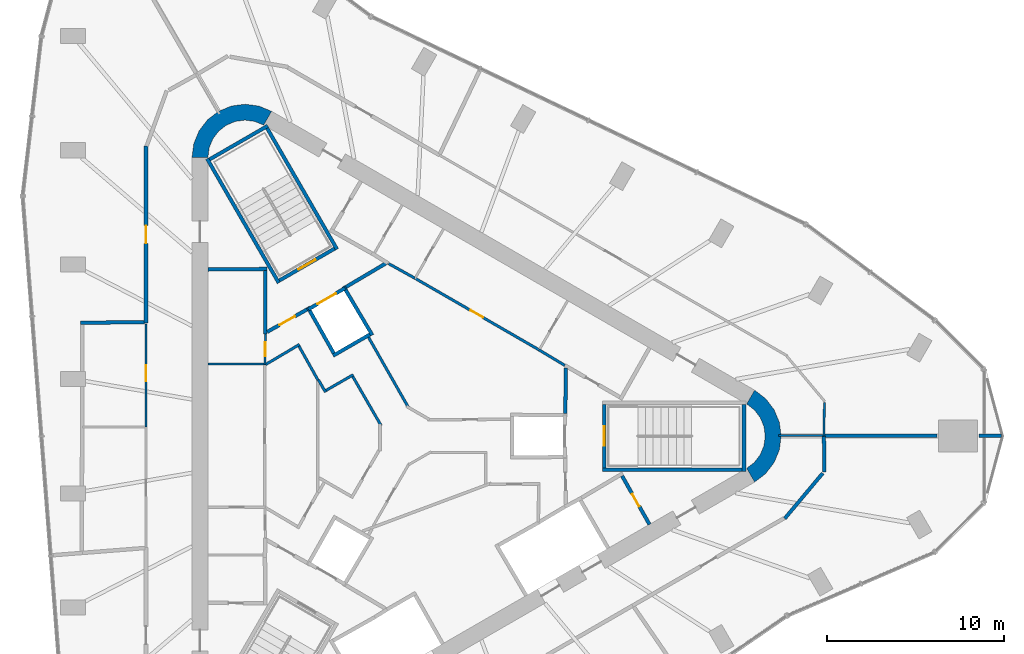
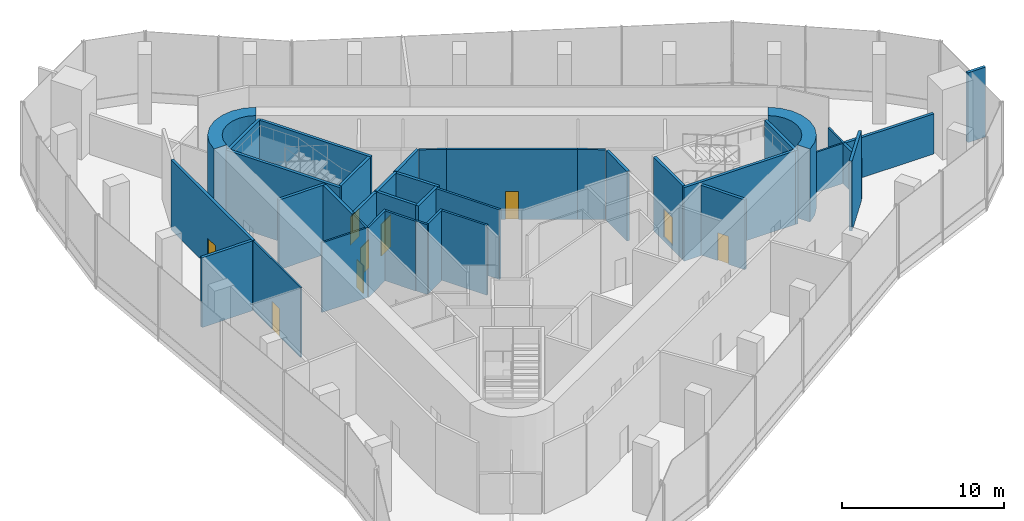
# One storey, part 9 of 13: 39 walls, 9 doors, 9 openings.
"""IFC4 building model written with IfcOpenShell, lengths in metres."""

import ifcopenshell
import ifcopenshell.guid

model = None  # the IFC model being written
_history = None  # IfcOwnerHistory: only IFC2X3 demands one
_inside = {}  # id of a spatial element -> (the spatial element, [elements in it])
_under = {}  # id of a project, library or spatial element -> (it, [spatial elements below it])
_declared = {}  # id of a project -> (the project, [libraries it declares])
_typed = {}  # id of a type object -> (the type object, [elements of that type])
_made_of = {}  # id of a material, layer set ... -> (it, [elements and type objects made of it])


def new_model(schema):
    """Start an empty IFC model of exactly this schema.

    Asked for "IFC4X3", IfcOpenShell would pick the latest addendum, in which some entities
    have other attributes; the version numbers below select the first issue.
    IFC2X3 requires an IfcOwnerHistory on every rooted entity: one is made here for all.
    """
    global model, _history
    if schema == "IFC4X3":
        model = ifcopenshell.file(schema_version=(4, 3, 0, 0))
    else:
        model = ifcopenshell.file(schema=schema)
    _inside.clear()
    _under.clear()
    _declared.clear()
    _typed.clear()
    _made_of.clear()
    _history = None
    if model.schema == "IFC2X3":
        org = make("IfcOrganization", Name="unknown")
        user = make(
            "IfcPersonAndOrganization",
            ThePerson=make("IfcPerson", FamilyName="unknown"),
            TheOrganization=org,
        )
        app = make(
            "IfcApplication",
            ApplicationDeveloper=org,
            Version="unknown",
            ApplicationFullName="unknown",
            ApplicationIdentifier="unknown",
        )
        _history = make(
            "IfcOwnerHistory",
            OwningUser=user,
            OwningApplication=app,
            ChangeAction="ADDED",
            CreationDate=0,
        )
    return model


def make(cls, **values):
    """One entity of the class cls with the attributes given. An attribute that is None is left unset."""
    return model.create_entity(
        cls, **{name: value for name, value in values.items() if value is not None}
    )


def rooted(cls, **values):
    """An entity with a GlobalId (a new one), such as an element, a storey or a relation."""
    return make(cls, GlobalId=ifcopenshell.guid.new(), OwnerHistory=_history, **values)


def si_unit(unit_type, name, prefix=None):
    """IfcSIUnit, for example si_unit("LENGTHUNIT", "METRE", prefix="MILLI")."""
    return make("IfcSIUnit", UnitType=unit_type, Prefix=prefix, Name=name)


def assignment(units):
    """IfcUnitAssignment: the units of a project."""
    return None if units is None else make("IfcUnitAssignment", Units=units)


def point(xyz):
    """IfcCartesianPoint."""
    return None if xyz is None else make("IfcCartesianPoint", Coordinates=xyz)


def direction(xyz):
    """IfcDirection."""
    return None if xyz is None else make("IfcDirection", DirectionRatios=xyz)


def frame(location, z_axis=None, x_axis=None):
    """IfcAxis2Placement3D, a coordinate frame: its origin and axes. An axis left out is left unset."""
    return make(
        "IfcAxis2Placement3D",
        Location=point(location),
        Axis=direction(z_axis),
        RefDirection=direction(x_axis),
    )


def frame_2d(location, x_axis=None):
    """IfcAxis2Placement2D, a coordinate frame in the plane: its origin and x axis."""
    return make(
        "IfcAxis2Placement2D", Location=point(location), RefDirection=direction(x_axis)
    )


def origin():
    """The frame at (0, 0, 0) with its axes left unset."""
    return frame((0.0, 0.0, 0.0))


def place(relative_to, where):
    """IfcLocalPlacement: puts the frame where relative to a parent placement (None: the world)."""
    return make(
        "IfcLocalPlacement", PlacementRelTo=relative_to, RelativePlacement=where
    )


def context(
    kind, dimensions, precision=None, world=None, true_north=None, identifier=None
):
    """IfcGeometricRepresentationContext, for example the 3D "Model" context."""
    return make(
        "IfcGeometricRepresentationContext",
        ContextIdentifier=identifier,
        ContextType=kind,
        CoordinateSpaceDimension=dimensions,
        Precision=precision,
        WorldCoordinateSystem=world,
        TrueNorth=true_north,
    )


def subcontext(parent, identifier, kind, view, scale=None):
    """IfcGeometricRepresentationSubContext, for example "Body" below "Model"."""
    return make(
        "IfcGeometricRepresentationSubContext",
        ContextIdentifier=identifier,
        ContextType=kind,
        ParentContext=parent,
        TargetScale=scale,
        TargetView=view,
    )


def project(units=None, contexts=None):
    """IfcProject with its units and contexts."""
    return rooted(
        "IfcProject",
        Name="project",
        RepresentationContexts=contexts,
        UnitsInContext=assignment(units),
    )


def spatial(cls, under=None, at=None, **own):
    """A site, building, storey or space (cls), placed at a placement, below another one or the project."""
    s = rooted(cls, ObjectPlacement=at, **own)
    if under is not None:
        _under.setdefault(under.id(), (under, []))[1].append(s)
    return s


def polyline(points):
    """IfcPolyline through the points."""
    return make("IfcPolyline", Points=[point(p) for p in points])


def profile(cls, at=None, kind="AREA", **sizes):
    """A parametric profile (cls). Its sizes go by their IFC names, for example OverallWidth=200.0."""
    return make(cls, ProfileType=kind, Position=at, **sizes)


def rectangle(**sizes):
    """IfcRectangleProfileDef."""
    return profile("IfcRectangleProfileDef", **sizes)


def outline(outer, holes=None, kind="AREA"):
    """IfcArbitraryClosedProfileDef: a profile drawn as a closed curve; with holes, ...WithVoids."""
    if holes is None:
        return make("IfcArbitraryClosedProfileDef", ProfileType=kind, OuterCurve=outer)
    return make(
        "IfcArbitraryProfileDefWithVoids",
        ProfileType=kind,
        OuterCurve=outer,
        InnerCurves=holes,
    )


def extrude(swept, where, along, depth):
    """IfcExtrudedAreaSolid: the profile swept, set in the frame where, extruded along a direction by depth."""
    return make(
        "IfcExtrudedAreaSolid",
        SweptArea=swept,
        Position=where,
        ExtrudedDirection=direction(along),
        Depth=depth,
    )


def shape(context_of_items, identifier, shape_type, items):
    """IfcShapeRepresentation: the items that make up one representation, for example the "Body"."""
    return make(
        "IfcShapeRepresentation",
        ContextOfItems=context_of_items,
        RepresentationIdentifier=identifier,
        RepresentationType=shape_type,
        Items=items,
    )


def material(Name=None, Category=None):
    """IfcMaterial."""
    return make("IfcMaterial", Name=Name, Category=Category)


def layer(
    of_material, thickness, ventilated=None, Name=None, Category=None, Priority=None
):
    """IfcMaterialLayer: one layer of a wall or slab, of a material (None: an air gap)."""
    return make(
        "IfcMaterialLayer",
        Material=of_material,
        LayerThickness=thickness,
        IsVentilated=ventilated,
        Name=Name,
        Category=Category,
        Priority=Priority,
    )


def layer_set(layers, Name=None):
    """IfcMaterialLayerSet."""
    return make("IfcMaterialLayerSet", MaterialLayers=layers, LayerSetName=Name)


def made_of(thing, what):
    """Note that an element or type object is made of a material, layer set ...; save() writes the relation."""
    if what is not None:
        _made_of.setdefault(what.id(), (what, []))[1].append(thing)
    return thing


def type_object(cls, material=None, **own):
    """A type object (cls), such as IfcWallType, which elements share."""
    return made_of(rooted(cls, **own), material)


def element(
    cls,
    number,
    at=None,
    inside=None,
    cuts=None,
    type_object=None,
    material=None,
    context=None,
    identifier="Body",
    shape_type=None,
    held_by="IfcProductDefinitionShape",
    body=None,
    shapes=None,
    **own,
):
    """One element of the class cls, such as IfcWall. Its Tag is "e" and its number.

    at: its placement. inside: the storey or other place that contains it. cuts: it is an
    opening in that element (IfcRelVoidsElement). A single representation is given by context,
    identifier, shape_type and body (its items); several are given by shapes. held_by: the class
    of the entity that holds the representations. save() writes the other relations.
    """
    e = rooted(cls, Tag="e%d" % number, ObjectPlacement=at, **own)
    if body is not None:
        shapes = [shape(context, identifier, shape_type, body)]
    if shapes is not None:
        e.Representation = make(held_by, Representations=shapes)
    if inside is not None:
        _inside.setdefault(inside.id(), (inside, []))[1].append(e)
    if cuts is not None:
        rooted(
            "IfcRelVoidsElement", RelatingBuildingElement=cuts, RelatedOpeningElement=e
        )
    if type_object is not None:
        _typed.setdefault(type_object.id(), (type_object, []))[1].append(e)
    return made_of(e, material)


def fill(opening, filler):
    """IfcRelFillsElement: the door or window that sits in an opening."""
    return rooted(
        "IfcRelFillsElement",
        RelatingOpeningElement=opening,
        RelatedBuildingElement=filler,
    )


def aggregate(whole, parts):
    """IfcRelAggregates: a whole, such as a stair, and the parts it consists of."""
    return rooted("IfcRelAggregates", RelatingObject=whole, RelatedObjects=parts)


def save(model, path):
    """Write the relations noted so far, then the file.

    IfcRelAggregates (storeys below a building ...), IfcRelContainedInSpatialStructure (elements
    in a storey), IfcRelDefinesByType, IfcRelAssociatesMaterial and IfcRelDeclares: one each for
    every whole, place, type object, material and project.
    """
    for whole, parts in _under.values():
        aggregate(whole, parts)
    for where, things in _inside.values():
        rooted(
            "IfcRelContainedInSpatialStructure",
            RelatedElements=things,
            RelatingStructure=where,
        )
    for kind, things in _typed.values():
        rooted("IfcRelDefinesByType", RelatedObjects=things, RelatingType=kind)
    for what, things in _made_of.values():
        rooted("IfcRelAssociatesMaterial", RelatedObjects=things, RelatingMaterial=what)
    for by, libraries in _declared.values():
        rooted("IfcRelDeclares", RelatingContext=by, RelatedDefinitions=libraries)
    model.write(path)


model = new_model("IFC4")

# Units and contexts
model_context = context("Model", 3, precision=1e-05, world=origin(), true_north=direction((0.0, 1.0)))
body_context = subcontext(model_context, "Body", "Model", "MODEL_VIEW")
ifc_project = project(units=[si_unit("LENGTHUNIT", "METRE"), si_unit("AREAUNIT", "SQUARE_METRE"), si_unit("VOLUMEUNIT", "CUBIC_METRE"), si_unit("PLANEANGLEUNIT", "RADIAN"), si_unit("MASSUNIT", "GRAM", prefix="KILO")], contexts=[model_context])

# Site, building, storey
site_placement = place(None, origin())
site = spatial("IfcSite", under=ifc_project, at=site_placement, CompositionType="ELEMENT")
building_placement = place(site_placement, origin())
building = spatial("IfcBuilding", under=site, at=building_placement, Name="Tanit Gate Tower", CompositionType="ELEMENT")
storey_placement = place(building_placement, frame((0.0, 0.0, 404.800048828125)))
storey = spatial("IfcBuildingStorey", under=building, at=storey_placement, Name="L92", CompositionType="ELEMENT", Elevation=404.800048828125)

# Walls
ifc_material_1 = material(Name="Concrete C40/50", Category="concrete")
ifc_layer_1 = layer(ifc_material_1, 0.89990234375)
ifc_layer_set_1 = layer_set([ifc_layer_1], Name="CORE WALL 900 C40/50")
wall_type_1 = type_object("IfcWallType", Name="CORE WALL 900 C40/50", PredefinedType="SHEAR", material=ifc_layer_set_1)
wall_1_placement = place(storey_placement, origin())
element("IfcWall", 1, at=wall_1_placement, inside=storey, type_object=wall_type_1, Name="CORE WALL CORNER", PredefinedType="SHEAR", context=body_context, shape_type="SweptSolid", body=[
    extrude(outline(polyline([(-7.60009765625, 18.359619140625), (-8.323486328125, 18.659423828125), (-9.10009765625, 18.76171875), (-9.87646484375, 18.659423828125), (-10.60009765625, 18.359619140625), (-11.22119140625, 17.883056640625), (-11.697998046875, 17.26171875), (-11.997802734375, 16.5380859375), (-12.10009765625, 15.76171875), (-11.199951171875, 15.76171875), (-11.12841796875, 16.30517578125), (-10.918701171875, 16.811767578125), (-10.5849609375, 17.24658203125), (-10.14990234375, 17.580322265625), (-9.6435546875, 17.7900390625), (-9.10009765625, 17.86181640625), (-8.556396484375, 17.7900390625), (-8.050048828125, 17.580322265625), (-7.60009765625, 18.359619140625)])), origin(), (0.0, 0.0, 1.0), 5.5),
])
wall_2_placement = place(storey_placement, origin())
element("IfcWall", 2, at=wall_2_placement, inside=storey, type_object=wall_type_1, Name="CORE WALL CORNER", PredefinedType="SHEAR", context=body_context, shape_type="SweptSolid", body=[
    extrude(outline(polyline([(19.699951171875, -2.59814453125), (20.3212890625, -2.121337890625), (20.798095703125, -1.5), (21.097900390625, -0.776611328125), (21.199951171875, 0.0), (21.097900390625, 0.776611328125), (20.798095703125, 1.5), (20.3212890625, 2.121337890625), (19.699951171875, 2.59814453125), (19.25, 1.818603515625), (19.684814453125, 1.48486328125), (20.018798828125, 1.050048828125), (20.228515625, 0.54345703125), (20.300048828125, 0.0), (20.228515625, -0.54345703125), (20.018798828125, -1.050048828125), (19.684814453125, -1.48486328125), (19.25, -1.818603515625), (19.699951171875, -2.59814453125)])), origin(), (0.0, 0.0, 1.0), 5.5),
])
ifc_material_2 = material(Name="Fire-rated gypsum board partition")
ifc_layer_2 = layer(ifc_material_2, 0.199951171875)
ifc_layer_set_2 = layer_set([ifc_layer_2], Name="INT-WALL-COMPARTMENT")
wall_type_2 = type_object("IfcWallType", Name="INT-WALL-COMPARTMENT", PredefinedType="PARTITIONING", material=ifc_layer_set_2)
wall_3_placement = place(storey_placement, frame((-7.85009765625, 9.450927734375, 0.0), z_axis=(0.0, 0.0, 1.0), x_axis=(-0.999957167047, -0.009255488683, 0.0)))
element("IfcWall", 3, at=wall_3_placement, inside=storey, type_object=wall_type_2, Name="Wall Compartment W039", PredefinedType="PARTITIONING", context=body_context, shape_type="SweptSolid", body=[
    extrude(rectangle(XDim=3.35009765625, YDim=0.199951171875, at=frame_2d((1.675048828125, 0.0))), origin(), (0.0, 0.0, 1.0), 5.25),
])
wall_4_placement = place(storey_placement, frame((-7.949951171875, 5.7724609375, 0.0), z_axis=(0.0, 0.0, 1.0), x_axis=(0.0, 1.0, 0.0)))
element("IfcWall", 4, at=wall_4_placement, inside=storey, type_object=wall_type_2, Name="Wall Compartment W040", PredefinedType="PARTITIONING", context=body_context, shape_type="SweptSolid", body=[
    extrude(rectangle(XDim=3.57763671875, YDim=0.199951171875, at=frame_2d((1.788818359375, 0.0))), origin(), (0.0, 0.0, 1.0), 5.25),
])

# Wall, opening, door
wall_5_placement = place(storey_placement, frame((13.758056640625, -4.989501953125, 0.0), z_axis=(0.0, 0.0, 1.0), x_axis=(-0.491993409184, 0.87059892334, 0.0)))
wall_5 = element("IfcWall", 5, at=wall_5_placement, inside=storey, type_object=wall_type_2, Name="Wall Compartment W061", PredefinedType="PARTITIONING", context=body_context, shape_type="SweptSolid", body=[
    extrude(rectangle(XDim=3.150146484375, YDim=0.199951171875, at=frame_2d((1.5751953125, 0.0))), origin(), (0.0, 0.0, 1.0), 5.25),
])
opening_1_placement = place(wall_5_placement, frame((1.175048828125, 0.0, 0.0)))
opening_1 = element("IfcOpeningElement", 6, at=opening_1_placement, cuts=wall_5, Name="Opening R08-92-23", PredefinedType="OPENING", context=body_context, shape_type="SweptSolid", body=[
    extrude(rectangle(XDim=0.800048828125, YDim=2.10009765625, at=frame_2d((0.39990234375, 1.050048828125))), frame((0.0, 0.10986328125, 0.0), z_axis=(0.0, -1.0, 0.0), x_axis=(1.0, 0.0, 0.0)), (0.0, 0.0, 1.0), 0.219970703125),
])
ifc_material_3 = material(Name="Timber door leaf", Category="wood")
door_type_1 = type_object("IfcDoorType", Name="INT-DOOR-RISER-800", OperationType="NOTDEFINED", PredefinedType="USERDEFINED", material=ifc_material_3)
door_1_placement = place(opening_1_placement, origin())
door_1 = element("IfcDoor", 7, at=door_1_placement, inside=storey, type_object=door_type_1, Name="Door R08-92-23", ObjectType="FIRE DOOR", OperationType="SINGLE_SWING_RIGHT", OverallHeight=2.10009765625, OverallWidth=0.800048828125, PredefinedType="USERDEFINED", context=body_context, shape_type="SweptSolid", body=[
    extrude(rectangle(XDim=0.800048828125, YDim=2.10009765625, at=frame_2d((0.39990234375, 1.050048828125))), frame((0.0, 0.02490234375, 0.0), z_axis=(0.0, -1.0, 0.0), x_axis=(1.0, 0.0, 0.0)), (0.0, 0.0, 1.0), 0.050048828125),
])
fill(opening_1, door_1)

# Walls
wall_6_placement = place(storey_placement, frame((9.0009765625, 1.27001953125, 0.0), z_axis=(0.0, 0.0, 1.0), x_axis=(0.010780534828, 0.999941888346, 0.0)))
element("IfcWall", 8, at=wall_6_placement, inside=storey, type_object=wall_type_2, Name="Wall Compartment W062", PredefinedType="PARTITIONING", context=body_context, shape_type="SweptSolid", body=[
    extrude(rectangle(XDim=2.581787109375, YDim=0.199951171875, at=frame_2d((1.291015625, 0.0))), origin(), (0.0, 0.0, 1.0), 5.25),
])
wall_7_placement = place(storey_placement, frame((-1.0556640625, 9.81787109375, 0.0), z_axis=(0.0, 0.0, 1.0), x_axis=(-0.860599924646, -0.509281621207, 0.0)))
element("IfcWall", 9, at=wall_7_placement, inside=storey, type_object=wall_type_2, Name="Wall Compartment W064", PredefinedType="PARTITIONING", context=body_context, shape_type="SweptSolid", body=[
    extrude(rectangle(XDim=2.724853515625, YDim=0.199951171875, at=frame_2d((1.3623046875, 0.0))), origin(), (0.0, 0.0, 1.0), 5.25),
])

# Wall, opening, door
wall_8_placement = place(storey_placement, frame((-5.600341796875, 7.16015625, 0.0), z_axis=(0.0, 0.0, 1.0), x_axis=(-0.871350695252, -0.490660744185, 0.0)))
wall_8 = element("IfcWall", 10, at=wall_8_placement, inside=storey, type_object=wall_type_2, Name="Wall Compartment W065", PredefinedType="PARTITIONING", context=body_context, shape_type="SweptSolid", body=[
    extrude(rectangle(XDim=2.58203125, YDim=0.199951171875, at=frame_2d((1.291015625, 0.0))), origin(), (0.0, 0.0, 1.0), 5.25),
])
opening_2_placement = place(wall_8_placement, frame((0.791015625, 0.0, 0.0)))
opening_2 = element("IfcOpeningElement", 11, at=opening_2_placement, cuts=wall_8, Name="Opening F10-92-05", PredefinedType="OPENING", context=body_context, shape_type="SweptSolid", body=[
    extrude(rectangle(XDim=1.0, YDim=2.10009765625, at=frame_2d((0.5, 1.050048828125))), frame((0.0, 0.10986328125, 0.0), z_axis=(0.0, -1.0, 0.0), x_axis=(1.0, 0.0, 0.0)), (0.0, 0.0, 1.0), 0.219970703125),
])
ifc_material_4 = material(Name="Fire-rated steel door leaf", Category="steel")
door_type_2 = type_object("IfcDoorType", Name="INT-DOOR-FIRE-1000", OperationType="NOTDEFINED", PredefinedType="USERDEFINED", material=ifc_material_4)
door_2_placement = place(opening_2_placement, origin())
door_2 = element("IfcDoor", 12, at=door_2_placement, inside=storey, type_object=door_type_2, Name="Door F10-92-05", ObjectType="FIRE DOOR", OperationType="SINGLE_SWING_RIGHT", OverallHeight=2.10009765625, OverallWidth=1.0, PredefinedType="USERDEFINED", context=body_context, shape_type="SweptSolid", body=[
    extrude(rectangle(XDim=1.0, YDim=2.10009765625, at=frame_2d((0.5, 1.050048828125))), frame((0.0, 0.02490234375, 0.0), z_axis=(0.0, -1.0, 0.0), x_axis=(1.0, 0.0, 0.0)), (0.0, 0.0, 1.0), 0.050048828125),
])
fill(opening_2, door_2)

wall_9_placement = place(storey_placement, frame((-14.699951171875, 16.3994140625, 0.0), z_axis=(0.0, 0.0, 1.0), x_axis=(0.0, -1.0, 0.0)))
wall_9 = element("IfcWall", 13, at=wall_9_placement, inside=storey, type_object=wall_type_2, Name="Wall Compartment W091", PredefinedType="PARTITIONING", context=body_context, shape_type="SweptSolid", body=[
    extrude(rectangle(XDim=10.01806640625, YDim=0.199951171875, at=frame_2d((5.009033203125, 0.0))), origin(), (0.0, 0.0, 1.0), 5.25),
])
opening_3_placement = place(wall_9_placement, frame((4.5, 0.0, 0.0)))
opening_3 = element("IfcOpeningElement", 14, at=opening_3_placement, cuts=wall_9, Name="Opening F10-92-26", PredefinedType="OPENING", context=body_context, shape_type="SweptSolid", body=[
    extrude(rectangle(XDim=1.0, YDim=2.10009765625, at=frame_2d((0.5, 1.050048828125))), frame((0.0, 0.10986328125, 0.0), z_axis=(0.0, -1.0, 0.0), x_axis=(1.0, 0.0, 0.0)), (0.0, 0.0, 1.0), 0.219970703125),
])
door_3_placement = place(opening_3_placement, origin())
door_3 = element("IfcDoor", 15, at=door_3_placement, inside=storey, type_object=door_type_2, Name="Door F10-92-26", ObjectType="FIRE DOOR", OperationType="SINGLE_SWING_LEFT", OverallHeight=2.10009765625, OverallWidth=1.0, PredefinedType="USERDEFINED", context=body_context, shape_type="SweptSolid", body=[
    extrude(rectangle(XDim=1.0, YDim=2.10009765625, at=frame_2d((0.5, 1.050048828125))), frame((0.0, 0.02490234375, 0.0), z_axis=(0.0, -1.0, 0.0), x_axis=(1.0, 0.0, 0.0)), (0.0, 0.0, 1.0), 0.050048828125),
])
fill(opening_3, door_3)

# Walls
wall_10_placement = place(storey_placement, frame((-18.39990234375, 6.41064453125, 0.0), z_axis=(0.0, 0.0, 1.0), x_axis=(0.999965208912, 0.008341520563, 0.0)))
element("IfcWall", 16, at=wall_10_placement, inside=storey, type_object=wall_type_2, Name="Wall Compartment W102", PredefinedType="PARTITIONING", context=body_context, shape_type="SweptSolid", body=[
    extrude(rectangle(XDim=3.60009765625, YDim=0.199951171875, at=frame_2d((1.800048828125, 0.0))), origin(), (0.0, 0.0, 1.0), 5.25),
])
wall_11_placement = place(storey_placement, frame((23.646240234375, 0.030029296875, 0.0), z_axis=(0.0, 0.0, 1.0), x_axis=(1.0, 0.0, 0.0)))
element("IfcWall", 17, at=wall_11_placement, inside=storey, type_object=wall_type_2, Name="Wall Compartment W119", PredefinedType="PARTITIONING", context=body_context, shape_type="SweptSolid", body=[
    extrude(rectangle(XDim=6.349365234375, YDim=0.199951171875, at=frame_2d((3.1748046875, 0.0))), origin(), (0.0, 0.0, 1.0), 3.02001953125),
])
wall_12_placement = place(storey_placement, frame((32.395751953125, 0.030029296875, 0.0), z_axis=(0.0, 0.0, 1.0), x_axis=(1.0, 0.0, 0.0)))
element("IfcWall", 18, at=wall_12_placement, inside=storey, type_object=wall_type_2, Name="Wall Compartment W120", PredefinedType="PARTITIONING", context=body_context, shape_type="SweptSolid", body=[
    extrude(rectangle(XDim=1.267822265625, YDim=0.199951171875, at=frame_2d((0.6337890625, 0.0))), origin(), (0.0, 0.0, 1.0), 5.25),
])
wall_13_placement = place(storey_placement, frame((23.646728515625, -2.01953125, 0.0), z_axis=(0.0, 0.0, 1.0), x_axis=(-0.015109493549, 0.999885845087, 0.0)))
element("IfcWall", 19, at=wall_13_placement, inside=storey, type_object=wall_type_2, Name="Wall Compartment W125", PredefinedType="PARTITIONING", context=body_context, shape_type="SweptSolid", body=[
    extrude(rectangle(XDim=2.019775390625, YDim=0.199951171875, at=frame_2d((1.009765625, 0.0))), origin(), (0.0, 0.0, 1.0), 3.02001953125),
])
wall_14_placement = place(storey_placement, frame((21.4013671875, -4.657470703125, 0.0), z_axis=(0.0, 0.0, 1.0), x_axis=(0.642826822895, 0.76601153762, 0.0)))
element("IfcWall", 20, at=wall_14_placement, inside=storey, type_object=wall_type_2, Name="Wall Compartment W126", PredefinedType="PARTITIONING", context=body_context, shape_type="SweptSolid", body=[
    extrude(rectangle(XDim=3.339599609375, YDim=0.199951171875, at=frame_2d((1.669921875, 0.0))), origin(), (0.0, 0.0, 1.0), 5.25),
])
ifc_material_5 = material(Name="Gypsum board partition")
ifc_layer_3 = layer(ifc_material_5, 0.1201171875)
ifc_layer_set_3 = layer_set([ifc_layer_3], Name="INT-WALL-PARTITION")
wall_type_3 = type_object("IfcWallType", Name="INT-WALL-PARTITION", PredefinedType="PARTITIONING", material=ifc_layer_set_3)
wall_15_placement = place(storey_placement, frame((-7.949951171875, 4.080078125, 0.0), z_axis=(0.0, 0.0, 1.0), x_axis=(-1.0, 0.0, 0.0)))
element("IfcWall", 21, at=wall_15_placement, inside=storey, type_object=wall_type_3, Name="Wall Partition W038", PredefinedType="PARTITIONING", context=body_context, shape_type="SweptSolid", body=[
    extrude(rectangle(XDim=3.25, YDim=0.1201171875, at=frame_2d((1.625, 0.0))), origin(), (0.0, 0.0, 1.0), 5.25),
])

# Wall, opening, door
wall_16_placement = place(storey_placement, frame((-7.971435546875, 4.050048828125, 0.0), z_axis=(0.0, 0.0, 1.0), x_axis=(0.012047318415, 0.999927428426, 0.0)))
wall_16 = element("IfcWall", 22, at=wall_16_placement, inside=storey, type_object=wall_type_3, Name="Wall Partition W041", PredefinedType="PARTITIONING", context=body_context, shape_type="SweptSolid", body=[
    extrude(rectangle(XDim=1.72265625, YDim=0.1201171875, at=frame_2d((0.861328125, 0.0))), origin(), (0.0, 0.0, 1.0), 5.25),
])
opening_4_placement = place(wall_16_placement, frame((0.461181640625, 0.0, 0.0)))
opening_4 = element("IfcOpeningElement", 23, at=opening_4_placement, cuts=wall_16, Name="Opening R08-92-15", PredefinedType="OPENING", context=body_context, shape_type="SweptSolid", body=[
    extrude(rectangle(XDim=0.800048828125, YDim=2.10009765625, at=frame_2d((0.39990234375, 1.050048828125))), frame((0.0, 0.070068359375, 0.0), z_axis=(0.0, -1.0, 0.0), x_axis=(1.0, 0.0, 0.0)), (0.0, 0.0, 1.0), 0.14013671875),
])
door_4_placement = place(opening_4_placement, origin())
door_4 = element("IfcDoor", 24, at=door_4_placement, inside=storey, type_object=door_type_1, Name="Door R08-92-15", ObjectType="FIRE DOOR", OperationType="SINGLE_SWING_LEFT", OverallHeight=2.10009765625, OverallWidth=0.800048828125, PredefinedType="USERDEFINED", context=body_context, shape_type="SweptSolid", body=[
    extrude(rectangle(XDim=0.800048828125, YDim=2.10009765625, at=frame_2d((0.39990234375, 1.050048828125))), frame((0.0, 0.02490234375, 0.0), z_axis=(0.0, -1.0, 0.0), x_axis=(1.0, 0.0, 0.0)), (0.0, 0.0, 1.0), 0.050048828125),
])
fill(opening_4, door_4)

wall_17_placement = place(storey_placement, frame((-14.699951171875, 6.34130859375, 0.0), z_axis=(0.0, 0.0, 1.0), x_axis=(0.0, -1.0, 0.0)))
wall_17 = element("IfcWall", 25, at=wall_17_placement, inside=storey, type_object=wall_type_3, Name="Wall Partition W095", PredefinedType="PARTITIONING", context=body_context, shape_type="SweptSolid", body=[
    extrude(rectangle(XDim=5.82861328125, YDim=0.1201171875, at=frame_2d((2.914306640625, 0.0))), origin(), (0.0, 0.0, 1.0), 5.25),
])
opening_5_placement = place(wall_17_placement, frame((2.330078125, 0.0, 0.0)))
opening_5 = element("IfcOpeningElement", 26, at=opening_5_placement, cuts=wall_17, Name="Opening D09-92-28", PredefinedType="OPENING", context=body_context, shape_type="SweptSolid", body=[
    extrude(rectangle(XDim=0.89990234375, YDim=2.10009765625, at=frame_2d((0.449951171875, 1.050048828125))), frame((0.0, 0.070068359375, 0.0), z_axis=(0.0, -1.0, 0.0), x_axis=(1.0, 0.0, 0.0)), (0.0, 0.0, 1.0), 0.14013671875),
])
ifc_material_6 = material(Name="Timber door leaf", Category="wood")
door_type_3 = type_object("IfcDoorType", Name="INT-DOOR-SINGLE-900", OperationType="NOTDEFINED", PredefinedType="NOTDEFINED", material=ifc_material_6)
door_5_placement = place(opening_5_placement, origin())
door_5 = element("IfcDoor", 27, at=door_5_placement, inside=storey, type_object=door_type_3, Name="Door D09-92-28", OperationType="SINGLE_SWING_RIGHT", OverallHeight=2.10009765625, OverallWidth=0.89990234375, PredefinedType="NOTDEFINED", context=body_context, shape_type="SweptSolid", body=[
    extrude(rectangle(XDim=0.89990234375, YDim=2.10009765625, at=frame_2d((0.449951171875, 1.050048828125))), frame((0.0, 0.02490234375, 0.0), z_axis=(0.0, -1.0, 0.0), x_axis=(1.0, 0.0, 0.0)), (0.0, 0.0, 1.0), 0.050048828125),
])
fill(opening_5, door_5)

# Walls
wall_18_placement = place(storey_placement, frame((23.6162109375, 0.0, 0.0), z_axis=(0.0, 0.0, 1.0), x_axis=(0.015106746995, 0.999885886587, 0.0)))
element("IfcWall", 28, at=wall_18_placement, inside=storey, type_object=wall_type_3, Name="Wall Partition W113", PredefinedType="PARTITIONING", context=body_context, shape_type="SweptSolid", body=[
    extrude(rectangle(XDim=1.890869140625, YDim=0.1201171875, at=frame_2d((0.9453125, 0.0))), origin(), (0.0, 0.0, 1.0), 3.02001953125),
])
wall_19_placement = place(storey_placement, frame((23.646240234375, 0.030029296875, 0.0), z_axis=(0.0, 0.0, 1.0), x_axis=(-1.0, 0.0, 0.0)))
element("IfcWall", 29, at=wall_19_placement, inside=storey, type_object=wall_type_3, Name="Wall Partition W117", PredefinedType="PARTITIONING", context=body_context, shape_type="SweptSolid", body=[
    extrude(rectangle(XDim=2.60009765625, YDim=0.1201171875, at=frame_2d((1.300048828125, 0.0))), origin(), (0.0, 0.0, 1.0), 3.02001953125),
])
ifc_material_7 = material(Name="Fire-rated gypsum board partition")
ifc_layer_4 = layer(ifc_material_7, 0.14990234375)
ifc_layer_set_4 = layer_set([ifc_layer_4], Name="INT-WALL-RISER")
wall_type_4 = type_object("IfcWallType", Name="INT-WALL-RISER", PredefinedType="PLUMBINGWALL", material=ifc_layer_set_4)
wall_20_placement = place(storey_placement, frame((8.974609375, 3.999755859375, 0.0), z_axis=(0.0, 0.0, 1.0), x_axis=(-0.857530436795, 0.514433231791, 0.0)))
element("IfcWall", 30, at=wall_20_placement, inside=storey, type_object=wall_type_4, Name="Wall Riser W052", PredefinedType="PLUMBINGWALL", context=body_context, shape_type="SweptSolid", body=[
    extrude(rectangle(XDim=1.72265625, YDim=0.14990234375, at=frame_2d((0.861328125, 0.0))), origin(), (0.0, 0.0, 1.0), 5.25),
])

# Wall, opening, door
wall_21_placement = place(storey_placement, frame((7.497314453125, 4.885986328125, 0.0), z_axis=(0.0, 0.0, 1.0), x_axis=(-0.866030989016, 0.499990325971, 0.0)))
wall_21 = element("IfcWall", 31, at=wall_21_placement, inside=storey, type_object=wall_type_4, Name="Wall Riser W054", PredefinedType="PLUMBINGWALL", context=body_context, shape_type="SweptSolid", body=[
    extrude(rectangle(XDim=8.099853515625, YDim=0.14990234375, at=frame_2d((4.0498046875, 0.0))), origin(), (0.0, 0.0, 1.0), 5.25),
])
opening_6_placement = place(wall_21_placement, frame((3.64990234375, 0.0, 0.0)))
opening_6 = element("IfcOpeningElement", 32, at=opening_6_placement, cuts=wall_21, Name="Opening R08-92-25", PredefinedType="OPENING", context=body_context, shape_type="SweptSolid", body=[
    extrude(rectangle(XDim=0.800048828125, YDim=2.10009765625, at=frame_2d((0.39990234375, 1.050048828125))), frame((0.0, 0.0849609375, 0.0), z_axis=(0.0, -1.0, 0.0), x_axis=(1.0, 0.0, 0.0)), (0.0, 0.0, 1.0), 0.169921875),
])
door_6_placement = place(opening_6_placement, origin())
door_6 = element("IfcDoor", 33, at=door_6_placement, inside=storey, type_object=door_type_1, Name="Door R08-92-25", ObjectType="FIRE DOOR", OperationType="SINGLE_SWING_RIGHT", OverallHeight=2.10009765625, OverallWidth=0.800048828125, PredefinedType="USERDEFINED", context=body_context, shape_type="SweptSolid", body=[
    extrude(rectangle(XDim=0.800048828125, YDim=2.10009765625, at=frame_2d((0.39990234375, 1.050048828125))), frame((0.0, 0.02490234375, 0.0), z_axis=(0.0, -1.0, 0.0), x_axis=(1.0, 0.0, 0.0)), (0.0, 0.0, 1.0), 0.050048828125),
])
fill(opening_6, door_6)

# Walls
wall_22_placement = place(storey_placement, frame((0.482666015625, 8.935791015625, 0.0), z_axis=(0.0, 0.0, 1.0), x_axis=(-0.874315691004, 0.485357674776, 0.0)))
element("IfcWall", 34, at=wall_22_placement, inside=storey, type_object=wall_type_4, Name="Wall Riser W057", PredefinedType="PLUMBINGWALL", context=body_context, shape_type="SweptSolid", body=[
    extrude(rectangle(XDim=1.67138671875, YDim=0.14990234375, at=frame_2d((0.835693359375, 0.0))), origin(), (0.0, 0.0, 1.0), 5.25),
])
wall_23_placement = place(storey_placement, frame((-2.1240234375, 5.58642578125, 0.0), z_axis=(0.0, 0.0, 1.0), x_axis=(0.494514430604, -0.869169418424, 0.0)))
element("IfcWall", 35, at=wall_23_placement, inside=storey, type_object=wall_type_4, Name="Wall Riser W070", PredefinedType="PLUMBINGWALL", context=body_context, shape_type="SweptSolid", body=[
    extrude(rectangle(XDim=4.5341796875, YDim=0.14990234375, at=frame_2d((2.26708984375, 0.0))), origin(), (0.0, 0.0, 1.0), 5.25),
])
wall_24_placement = place(storey_placement, frame((-6.023681640625, 5.183349609375, 0.0), z_axis=(0.0, 0.0, 1.0), x_axis=(-0.860126804455, -0.510080268447, 0.0)))
element("IfcWall", 36, at=wall_24_placement, inside=storey, type_object=wall_type_4, Name="Wall Riser W082", PredefinedType="PLUMBINGWALL", context=body_context, shape_type="SweptSolid", body=[
    extrude(rectangle(XDim=2.239501953125, YDim=0.14990234375, at=frame_2d((1.11962890625, 0.0))), origin(), (0.0, 0.0, 1.0), 5.25),
])
wall_25_placement = place(storey_placement, frame((-4.98291015625, 3.172119140625, 0.0), z_axis=(0.0, 0.0, 1.0), x_axis=(-0.488701962514, 0.872450796226, 0.0)))
element("IfcWall", 37, at=wall_25_placement, inside=storey, type_object=wall_type_4, Name="Wall Riser W083", PredefinedType="PLUMBINGWALL", context=body_context, shape_type="SweptSolid", body=[
    extrude(rectangle(XDim=2.1865234375, YDim=0.14990234375, at=frame_2d((1.09326171875, 0.0))), origin(), (0.0, 0.0, 1.0), 5.25),
])
wall_26_placement = place(storey_placement, frame((-4.55078125, 2.482177734375, 0.0), z_axis=(0.0, 0.0, 1.0), x_axis=(-0.499852395195, 0.866110606688, 0.0)))
element("IfcWall", 38, at=wall_26_placement, inside=storey, type_object=wall_type_4, Name="Wall Riser W084", PredefinedType="PLUMBINGWALL", context=body_context, shape_type="SweptSolid", body=[
    extrude(rectangle(XDim=0.813232421875, YDim=0.14990234375, at=frame_2d((0.40673828125, 0.0))), origin(), (0.0, 0.0, 1.0), 5.25),
])
wall_27_placement = place(storey_placement, frame((-2.986083984375, 3.47216796875, 0.0), z_axis=(0.0, 0.0, 1.0), x_axis=(-0.866059624469, -0.499940723351, 0.0)))
element("IfcWall", 39, at=wall_27_placement, inside=storey, type_object=wall_type_4, Name="Wall Riser W085", PredefinedType="PLUMBINGWALL", context=body_context, shape_type="SweptSolid", body=[
    extrude(rectangle(XDim=1.775146484375, YDim=0.14990234375, at=frame_2d((0.8876953125, 0.0))), origin(), (0.0, 0.0, 1.0), 5.25),
])
wall_28_placement = place(storey_placement, frame((-1.4072265625, 0.58740234375, 0.0), z_axis=(0.0, 0.0, 1.0), x_axis=(-0.500029427677, 0.866008413041, 0.0)))
element("IfcWall", 40, at=wall_28_placement, inside=storey, type_object=wall_type_4, Name="Wall Riser W086", PredefinedType="PLUMBINGWALL", context=body_context, shape_type="SweptSolid", body=[
    extrude(rectangle(XDim=3.212646484375, YDim=0.14990234375, at=frame_2d((1.6064453125, 0.0))), origin(), (0.0, 0.0, 1.0), 5.25),
])

# Wall, opening, door
ifc_material_8 = material(Name="Gypsum shaft wall system")
ifc_layer_5 = layer(ifc_material_8, 0.199951171875)
ifc_layer_set_5 = layer_set([ifc_layer_5], Name="INT-WALL-SHAFT")
wall_type_5 = type_object("IfcWallType", Name="INT-WALL-SHAFT", PredefinedType="PLUMBINGWALL", material=ifc_layer_set_5)
wall_29_placement = place(storey_placement, frame((-5.524169921875, 7.168212890625, 0.0), z_axis=(0.0, 0.0, 1.0), x_axis=(0.866024647952, 0.500001309137, 0.0)))
wall_29 = element("IfcWall", 41, at=wall_29_placement, inside=storey, type_object=wall_type_5, Name="Wall Shaft W024", PredefinedType="PLUMBINGWALL", context=body_context, shape_type="SweptSolid", body=[
    extrude(rectangle(XDim=2.39990234375, YDim=0.199951171875, at=frame_2d((1.199951171875, 0.0))), origin(), (0.0, 0.0, 1.0), 5.25),
])
opening_7_placement = place(wall_29_placement, frame((0.60009765625, 0.0, 0.0)))
opening_7 = element("IfcOpeningElement", 42, at=opening_7_placement, cuts=wall_29, Name="Opening LDFL2-L92", PredefinedType="OPENING", context=body_context, shape_type="SweptSolid", body=[
    extrude(rectangle(XDim=1.199951171875, YDim=2.39990234375, at=frame_2d((0.60009765625, 1.199951171875))), frame((0.0, 0.10986328125, 0.0), z_axis=(0.0, -1.0, 0.0), x_axis=(1.0, 0.0, 0.0)), (0.0, 0.0, 1.0), 0.219970703125),
])
ifc_material_9 = material(Name="Stainless steel sliding door leaf", Category="steel")
door_type_4 = type_object("IfcDoorType", Name="INT-DOOR-LANDING-1200", OperationType="NOTDEFINED", PredefinedType="USERDEFINED", material=ifc_material_9)
door_7_placement = place(opening_7_placement, origin())
door_7 = element("IfcDoor", 43, at=door_7_placement, inside=storey, type_object=door_type_4, Name="Door LDFL2-L92", ObjectType="LANDING DOOR", OperationType="SLIDING_TO_LEFT", OverallHeight=2.39990234375, OverallWidth=1.199951171875, PredefinedType="USERDEFINED", context=body_context, shape_type="SweptSolid", body=[
    extrude(rectangle(XDim=1.199951171875, YDim=2.39990234375, at=frame_2d((0.60009765625, 1.199951171875))), frame((0.0, 0.02490234375, 0.0), z_axis=(0.0, -1.0, 0.0), x_axis=(1.0, 0.0, 0.0)), (0.0, 0.0, 1.0), 0.050048828125),
])
fill(opening_7, door_7)

# Walls
wall_30_placement = place(storey_placement, frame((-3.53759765625, 8.46533203125, 0.0), z_axis=(0.0, 0.0, 1.0), x_axis=(0.508616218331, -0.860993346345, 0.0)))
element("IfcWall", 44, at=wall_30_placement, inside=storey, type_object=wall_type_5, Name="Wall Shaft W025", PredefinedType="PLUMBINGWALL", context=body_context, shape_type="SweptSolid", body=[
    extrude(rectangle(XDim=3.2001953125, YDim=0.199951171875, at=frame_2d((1.60009765625, 0.0))), origin(), (0.0, 0.0, 1.0), 5.25),
])
wall_31_placement = place(storey_placement, frame((-2.04736328125, 5.74609375, 0.0), z_axis=(0.0, 0.0, 1.0), x_axis=(-0.866024647952, -0.500001309137, 0.0)))
element("IfcWall", 45, at=wall_31_placement, inside=storey, type_object=wall_type_5, Name="Wall Shaft W026", PredefinedType="PLUMBINGWALL", context=body_context, shape_type="SweptSolid", body=[
    extrude(rectangle(XDim=2.39990234375, YDim=0.199951171875, at=frame_2d((1.199951171875, 0.0))), origin(), (0.0, 0.0, 1.0), 5.25),
])
wall_32_placement = place(storey_placement, frame((-5.5625, 7.29638671875, 0.0), z_axis=(0.0, 0.0, 1.0), x_axis=(0.49134651263, -0.870964180966, 0.0)))
element("IfcWall", 46, at=wall_32_placement, inside=storey, type_object=wall_type_5, Name="Wall Shaft W028", PredefinedType="PLUMBINGWALL", context=body_context, shape_type="SweptSolid", body=[
    extrude(rectangle(XDim=3.000244140625, YDim=0.199951171875, at=frame_2d((1.5, 0.0))), origin(), (0.0, 0.0, 1.0), 5.25),
])
ifc_material_10 = material(Name="Concrete C40/50", Category="concrete")
ifc_layer_6 = layer(ifc_material_10, 0.199951171875)
ifc_layer_set_6 = layer_set([ifc_layer_6], Name="INT-WALL-STAIR")
wall_type_6 = type_object("IfcWallType", Name="INT-WALL-STAIR", PredefinedType="SHEAR", material=ifc_layer_set_6)
wall_33_placement = place(storey_placement, frame((19.10009765625, -2.0, -0.300048828125), z_axis=(0.0, 0.0, 1.0), x_axis=(0.0, 1.0, 0.0)))
element("IfcWall", 47, at=wall_33_placement, inside=storey, type_object=wall_type_6, Name="Wall Stair W012", PredefinedType="SHEAR", context=body_context, shape_type="SweptSolid", body=[
    extrude(rectangle(XDim=3.800048828125, YDim=0.199951171875, at=frame_2d((1.89990234375, 0.0))), origin(), (0.0, 0.0, 1.0), 5.550048828125),
])
wall_34_placement = place(storey_placement, frame((11.10009765625, -1.89990234375, -0.300048828125), z_axis=(0.0, 0.0, 1.0), x_axis=(1.0, 0.0, 0.0)))
element("IfcWall", 48, at=wall_34_placement, inside=storey, type_object=wall_type_6, Name="Wall Stair W013", PredefinedType="SHEAR", context=body_context, shape_type="SweptSolid", body=[
    extrude(rectangle(XDim=7.89990234375, YDim=0.199951171875, at=frame_2d((3.949951171875, 0.0))), origin(), (0.0, 0.0, 1.0), 5.550048828125),
])

# Wall, opening, door
wall_35_placement = place(storey_placement, frame((11.199951171875, -1.800048828125, -0.300048828125), z_axis=(0.0, 0.0, 1.0), x_axis=(0.0, 1.0, 0.0)))
wall_35 = element("IfcWall", 49, at=wall_35_placement, inside=storey, type_object=wall_type_6, Name="Wall Stair W014", PredefinedType="SHEAR", context=body_context, shape_type="SweptSolid", body=[
    extrude(rectangle(XDim=3.60009765625, YDim=0.199951171875, at=frame_2d((1.800048828125, 0.0))), origin(), (0.0, 0.0, 1.0), 5.550048828125),
])
opening_8_placement = place(wall_35_placement, frame((1.25, 0.0, 0.300048828125)))
opening_8 = element("IfcOpeningElement", 50, at=opening_8_placement, cuts=wall_35, Name="Opening S11-92-01", PredefinedType="OPENING", context=body_context, shape_type="SweptSolid", body=[
    extrude(rectangle(XDim=1.10009765625, YDim=2.10009765625, at=frame_2d((0.550048828125, 1.050048828125))), frame((0.0, 0.10986328125, 0.0), z_axis=(0.0, -1.0, 0.0), x_axis=(1.0, 0.0, 0.0)), (0.0, 0.0, 1.0), 0.219970703125),
])
ifc_material_11 = material(Name="Timber door leaf", Category="wood")
door_type_5 = type_object("IfcDoorType", Name="INT-DOOR-STAIR-1100", OperationType="NOTDEFINED", PredefinedType="USERDEFINED", material=ifc_material_11)
door_8_placement = place(opening_8_placement, origin())
door_8 = element("IfcDoor", 51, at=door_8_placement, inside=storey, type_object=door_type_5, Name="Door S11-92-01", ObjectType="FIRE DOOR", OperationType="SINGLE_SWING_RIGHT", OverallHeight=2.10009765625, OverallWidth=1.10009765625, PredefinedType="USERDEFINED", context=body_context, shape_type="SweptSolid", body=[
    extrude(rectangle(XDim=1.10009765625, YDim=2.10009765625, at=frame_2d((0.550048828125, 1.050048828125))), frame((0.0, 0.02490234375, 0.0), z_axis=(0.0, -1.0, 0.0), x_axis=(1.0, 0.0, 0.0)), (0.0, 0.0, 1.0), 0.050048828125),
])
fill(opening_8, door_8)

# Walls
wall_36_placement = place(storey_placement, frame((-11.245361328125, 15.677734375, -0.300048828125), z_axis=(0.0, 0.0, 1.0), x_axis=(0.499977274689, -0.866038523851, 0.0)))
element("IfcWall", 52, at=wall_36_placement, inside=storey, type_object=wall_type_6, Name="Wall Stair W020", PredefinedType="SHEAR", context=body_context, shape_type="SweptSolid", body=[
    extrude(rectangle(XDim=8.10009765625, YDim=0.199951171875, at=frame_2d((4.050048828125, 0.0))), origin(), (0.0, 0.0, 1.0), 5.550048828125),
])
wall_37_placement = place(storey_placement, frame((-7.81787109375, 17.541015625, -0.300048828125), z_axis=(0.0, 0.0, 1.0), x_axis=(-0.866044365799, -0.499967155389, 0.0)))
element("IfcWall", 53, at=wall_37_placement, inside=storey, type_object=wall_type_6, Name="Wall Stair W021", PredefinedType="SHEAR", context=body_context, shape_type="SweptSolid", body=[
    extrude(rectangle(XDim=3.800048828125, YDim=0.199951171875, at=frame_2d((1.89990234375, 0.0))), origin(), (0.0, 0.0, 1.0), 5.550048828125),
])
wall_38_placement = place(storey_placement, frame((-7.8544921875, 17.404541015625, -0.300048828125), z_axis=(0.0, 0.0, 1.0), x_axis=(0.499997992926, -0.866026562566, 0.0)))
element("IfcWall", 54, at=wall_38_placement, inside=storey, type_object=wall_type_6, Name="Wall Stair W022", PredefinedType="SHEAR", context=body_context, shape_type="SweptSolid", body=[
    extrude(rectangle(XDim=7.89990234375, YDim=0.199951171875, at=frame_2d((3.949951171875, 0.0))), origin(), (0.0, 0.0, 1.0), 5.550048828125),
])

# Wall, opening, door
wall_39_placement = place(storey_placement, frame((-7.158935546875, 8.799560546875, -0.300048828125), z_axis=(0.0, 0.0, 1.0), x_axis=(0.866047807691, 0.499961193289, 0.0)))
wall_39 = element("IfcWall", 55, at=wall_39_placement, inside=storey, type_object=wall_type_6, Name="Wall Stair W023", PredefinedType="SHEAR", context=body_context, shape_type="SweptSolid", body=[
    extrude(rectangle(XDim=3.599853515625, YDim=0.199951171875, at=frame_2d((1.7998046875, 0.0))), origin(), (0.0, 0.0, 1.0), 5.550048828125),
])
opening_9_placement = place(wall_39_placement, frame((1.25, 0.0, 0.300048828125)))
opening_9 = element("IfcOpeningElement", 56, at=opening_9_placement, cuts=wall_39, Name="Opening S11-92-04", PredefinedType="OPENING", context=body_context, shape_type="SweptSolid", body=[
    extrude(rectangle(XDim=1.10009765625, YDim=2.10009765625, at=frame_2d((0.550048828125, 1.050048828125))), frame((0.0, 0.10986328125, 0.0), z_axis=(0.0, -1.0, 0.0), x_axis=(1.0, 0.0, 0.0)), (0.0, 0.0, 1.0), 0.219970703125),
])
door_9_placement = place(opening_9_placement, origin())
door_9 = element("IfcDoor", 57, at=door_9_placement, inside=storey, type_object=door_type_5, Name="Door S11-92-04", ObjectType="FIRE DOOR", OperationType="SINGLE_SWING_RIGHT", OverallHeight=2.10009765625, OverallWidth=1.10009765625, PredefinedType="USERDEFINED", context=body_context, shape_type="SweptSolid", body=[
    extrude(rectangle(XDim=1.10009765625, YDim=2.10009765625, at=frame_2d((0.550048828125, 1.050048828125))), frame((0.0, 0.02490234375, 0.0), z_axis=(0.0, -1.0, 0.0), x_axis=(1.0, 0.0, 0.0)), (0.0, 0.0, 1.0), 0.050048828125),
])
fill(opening_9, door_9)

save(model, "model.ifc")
